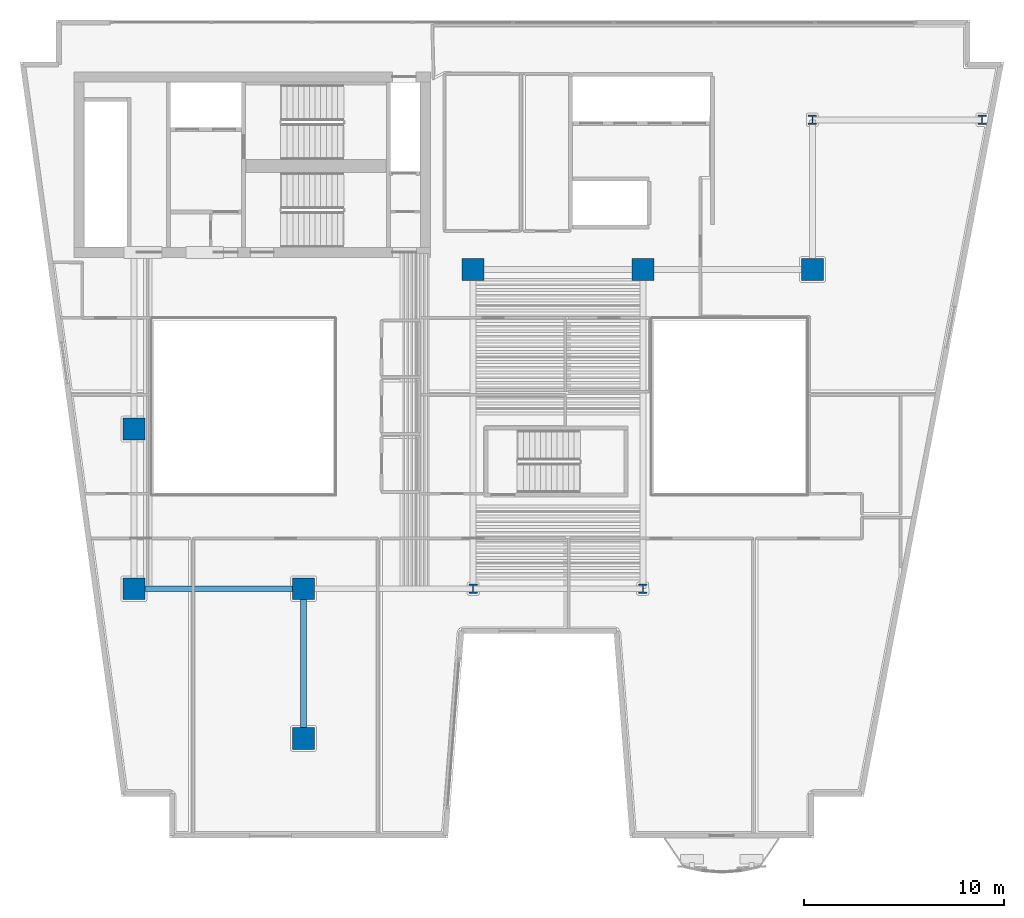
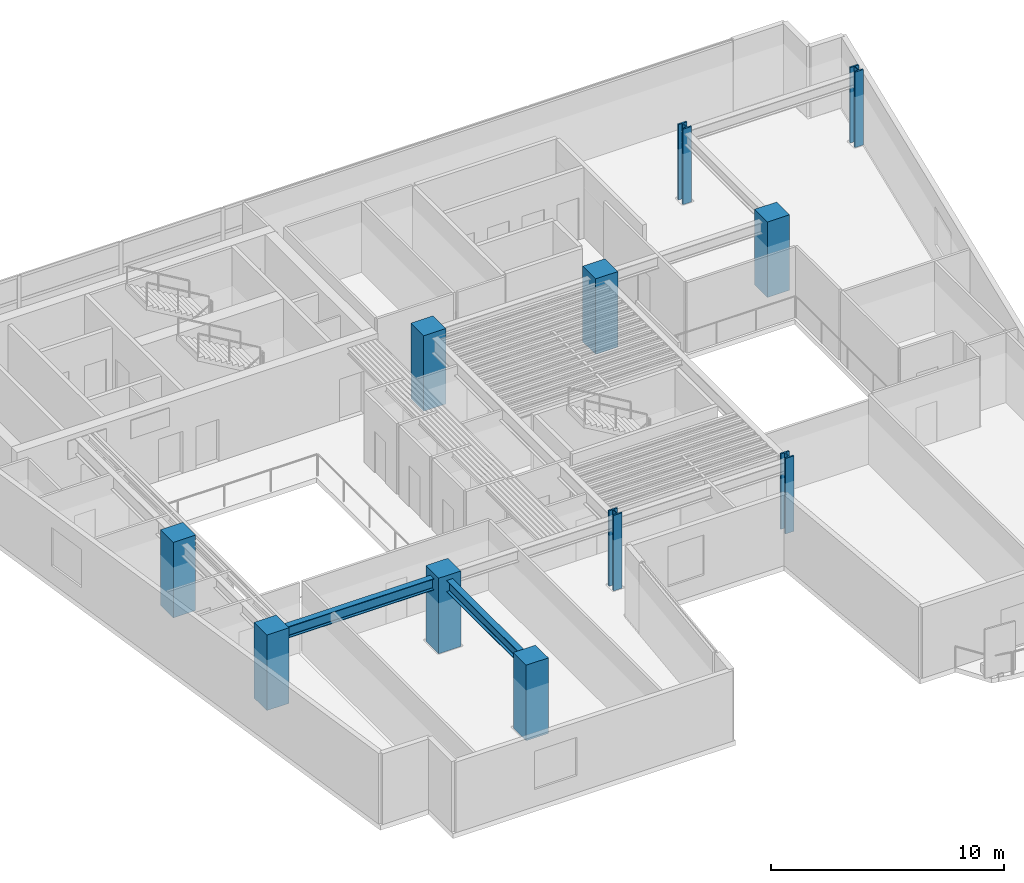
# One storey, part 1 of 13: 11 columns, 2 beams.
"""IFC4 building model written with IfcOpenShell, lengths in metres."""

from ifc_helpers import new_model, si_unit, direction, frame, origin, origin_2d, place, context, subcontext, project, spatial, rectangle, i_section, extrude, material, material_profile, profile_set, type_object, element, save


model = new_model("IFC4")

# Units and contexts
model_context = context("Model", 3, precision=1e-05, world=origin(), true_north=direction((0.0, 1.0)))
body_context = subcontext(model_context, "Body", "Model", "MODEL_VIEW")
ifc_project = project(units=[si_unit("LENGTHUNIT", "METRE"), si_unit("AREAUNIT", "SQUARE_METRE"), si_unit("VOLUMEUNIT", "CUBIC_METRE"), si_unit("PLANEANGLEUNIT", "RADIAN"), si_unit("MASSUNIT", "GRAM", prefix="KILO")], contexts=[model_context])

# Site, building, storey
site_placement = place(None, origin())
site = spatial("IfcSite", under=ifc_project, at=site_placement, CompositionType="ELEMENT")
building_placement = place(site_placement, origin())
building = spatial("IfcBuilding", under=site, at=building_placement, Name="Caeloran Harvest Quay", CompositionType="ELEMENT")
storey_placement = place(building_placement, frame((0.0, 0.0, 158.800048828125)))
storey = spatial("IfcBuildingStorey", under=building, at=storey_placement, Name="L37", CompositionType="ELEMENT", Elevation=158.800048828125)

# Columns
ifc_material_1 = material(Name="Concrete C70/85", Category="concrete")
ifc_material_profile_1 = material_profile(ifc_material_1, rectangle(XDim=1.10009765625, YDim=1.10009765625, at=origin_2d()), Name="RC 1100x1100")
ifc_profile_set_1 = profile_set([ifc_material_profile_1], Name="Concrete C70/85")
column_type_1 = type_object("IfcColumnType", Name="COL-MC-3-RC_1100x1100", PredefinedType="COLUMN", material=ifc_profile_set_1)
for number, where, z_axis, x_axis, name in (
    (1, (8.5, 15.0, 0.0), (0.0, 0.0, 1.0), (1.0, 0.0, 0.0), "L37 Structural Column (8.5, 15.0)"),
    (2, (8.5, 23.0, 0.0), (0.0, 0.0, 1.0), (1.0, 0.0, 0.0), "L37 Structural Column (8.5, 23.0)"),
    (3, (17.0, 7.5, 0.0), (0.0, 0.0, 1.0), (1.0, 0.0, 0.0), "L37 Structural Column (17.0, 7.5)"),
    (4, (17.0, 15.0, 0.0), (0.0, 0.0, 1.0), (1.0, 0.0, 0.0), "L37 Structural Column (17.0, 15.0)"),
    (5, (25.5, 31.0, 0.0), (0.0, 0.0, 1.0), (1.0, 0.0, 0.0), "L37 Structural Column (25.5, 31.0)"),
    (6, (34.0, 31.0, 0.0), (0.0, 0.0, 1.0), (1.0, 0.0, 0.0), "L37 Structural Column (34.0, 31.0)"),
    (7, (42.5, 31.0, 0.0), (0.0, 0.0, 1.0), (1.0, 0.0, 0.0), "L37 Structural Column (42.5, 31.0)"),
):
    element("IfcColumn", number, at=place(storey_placement, frame(where, z_axis=z_axis, x_axis=x_axis)), inside=storey, type_object=column_type_1, Name=name, PredefinedType="COLUMN", context=body_context, shape_type="SweptSolid", body=[
        extrude(rectangle(XDim=1.10009765625, YDim=1.10009765625, at=origin_2d()), origin(), (0.0, 0.0, 1.0), 3.949951171875),
    ])
ifc_material_2 = material(Name="Steel HISTAR 460", Category="steel")
ifc_material_profile_2 = material_profile(ifc_material_2, i_section(OverallWidth=0.424072265625, OverallDepth=0.47412109375, WebThickness=0.047607421875, FlangeThickness=0.076904296875, FilletRadius=0.014892578125, at=origin_2d()), Name="HD 400x634")
ifc_profile_set_2 = profile_set([ifc_material_profile_2], Name="Steel HISTAR 460")
column_type_2 = type_object("IfcColumnType", Name="COL-SC-3-HD_400x634", PredefinedType="COLUMN", material=ifc_profile_set_2)
for number, where, z_axis, x_axis, name in (
    (8, (25.5, 15.0, 0.0), (0.0, 0.0, 1.0), (1.0, 0.0, 0.0), "L37 Structural Column (25.5, 15.0)"),
    (9, (34.0, 15.0, 0.0), (0.0, 0.0, 1.0), (1.0, 0.0, 0.0), "L37 Structural Column (34.0, 15.0)"),
    (10, (42.5, 38.5, 0.0), (0.0, 0.0, 1.0), (1.0, 0.0, 0.0), "L37 Structural Column (42.5, 38.5)"),
    (11, (51.0, 38.5, 0.0), (0.0, 0.0, 1.0), (1.0, 0.0, 0.0), "L37 Structural Column (51.0, 38.5)"),
):
    element("IfcColumn", number, at=place(storey_placement, frame(where, z_axis=z_axis, x_axis=x_axis)), inside=storey, type_object=column_type_2, Name=name, PredefinedType="COLUMN", context=body_context, shape_type="SweptSolid", body=[
        extrude(i_section(OverallWidth=0.424072265625, OverallDepth=0.47412109375, WebThickness=0.047607421875, FlangeThickness=0.076904296875, FilletRadius=0.014892578125, at=origin_2d()), origin(), (0.0, 0.0, 1.0), 3.949951171875),
    ])

# Beams
ifc_material_3 = material(Name="Steel S355J2", Category="steel")
ifc_material_profile_3 = material_profile(ifc_material_3, i_section(OverallWidth=0.300048828125, OverallDepth=0.60009765625, WebThickness=0.015380859375, FlangeThickness=0.030029296875, FilletRadius=0.027099609375, at=origin_2d()), Name="HE 600 B")
ifc_profile_set_3 = profile_set([ifc_material_profile_3], Name="Steel S355J2")
beam_type = type_object("IfcBeamType", Name="BM-PG-3-HE_600_B", PredefinedType="BEAM", material=ifc_profile_set_3)
beam_1_placement = place(storey_placement, frame((8.5, 15.0, 3.389892578125), z_axis=(1.0, 0.0, 0.0), x_axis=(0.0, 1.0, 0.0)))
element("IfcBeam", 12, at=beam_1_placement, inside=storey, type_object=beam_type, Name="L37 Primary East-West Girder Y=15.0", PredefinedType="BEAM", context=body_context, shape_type="SweptSolid", body=[
    extrude(i_section(OverallWidth=0.300048828125, OverallDepth=0.60009765625, WebThickness=0.015380859375, FlangeThickness=0.030029296875, FilletRadius=0.027099609375, at=origin_2d()), origin(), (0.0, 0.0, 1.0), 8.5),
])
beam_2_placement = place(storey_placement, frame((17.0, 7.5, 3.389892578125), z_axis=(0.0, 1.0, 0.0), x_axis=(-1.0, 0.0, 0.0)))
element("IfcBeam", 13, at=beam_2_placement, inside=storey, type_object=beam_type, Name="L37 Primary North-South Girder X=17.0", PredefinedType="BEAM", context=body_context, shape_type="SweptSolid", body=[
    extrude(i_section(OverallWidth=0.300048828125, OverallDepth=0.60009765625, WebThickness=0.015380859375, FlangeThickness=0.030029296875, FilletRadius=0.027099609375, at=origin_2d()), origin(), (0.0, 0.0, 1.0), 7.5),
])

save(model, "model.ifc")
